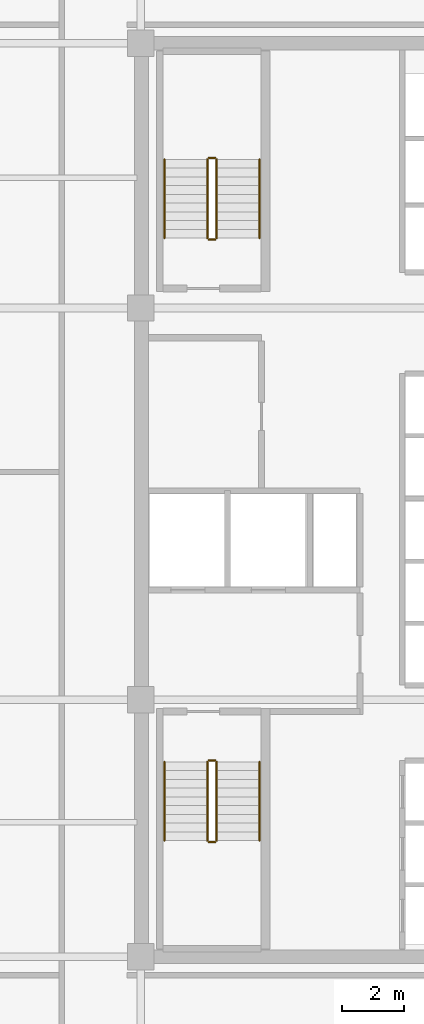
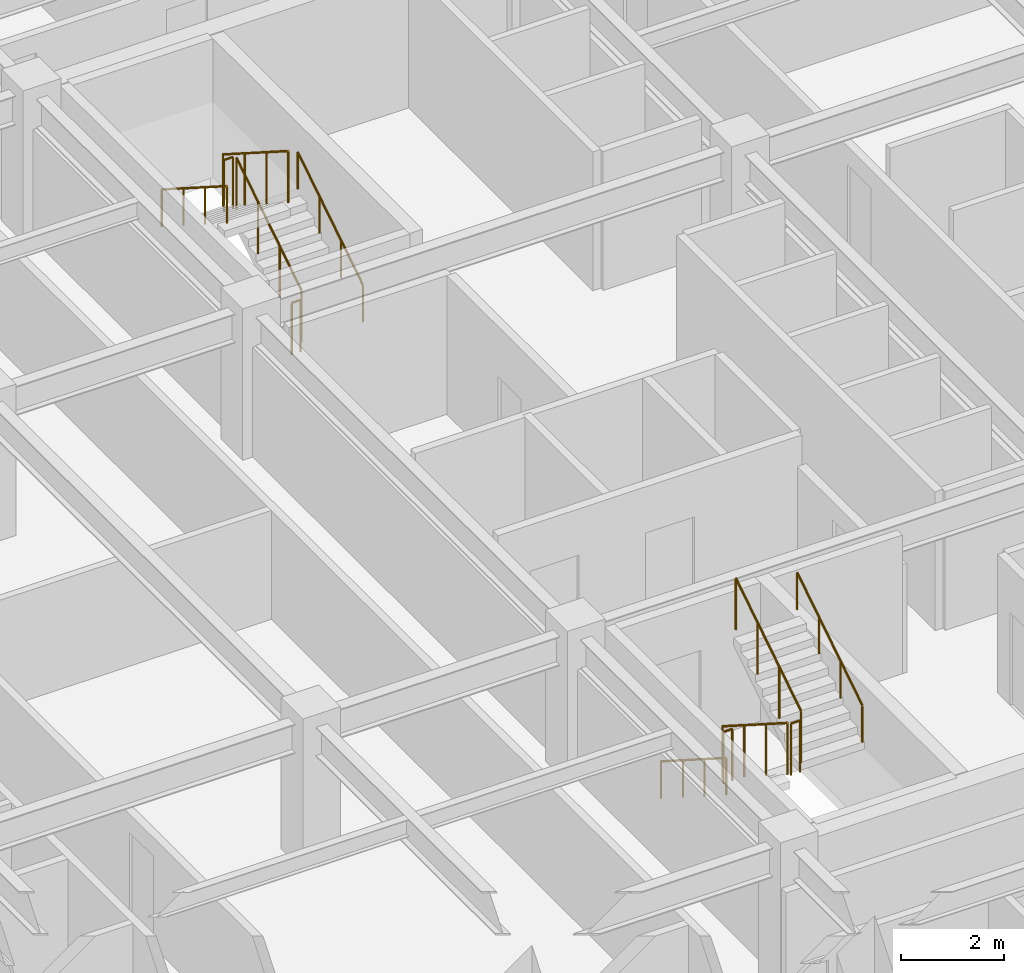
# One storey, part 11 of 11: 12 railings.
"""IFC4 building model written with IfcOpenShell, lengths in metres."""

from ifc_helpers import new_model, si_unit, direction, frame, origin, origin_2d, place, context, subcontext, project, spatial, circle, extrude, material, type_object, element, save


model = new_model("IFC4")

# Units and contexts
model_context = context("Model", 3, precision=1e-05, world=origin(), true_north=direction((0.0, 1.0)))
body_context = subcontext(model_context, "Body", "Model", "MODEL_VIEW")
ifc_project = project(units=[si_unit("LENGTHUNIT", "METRE"), si_unit("AREAUNIT", "SQUARE_METRE"), si_unit("VOLUMEUNIT", "CUBIC_METRE"), si_unit("PLANEANGLEUNIT", "RADIAN"), si_unit("MASSUNIT", "GRAM", prefix="KILO")], contexts=[model_context])

# Site, building, storey
site_placement = place(None, origin())
site = spatial("IfcSite", under=ifc_project, at=site_placement, CompositionType="ELEMENT")
building_placement = place(site_placement, origin())
building = spatial("IfcBuilding", under=site, at=building_placement, Name="Ochreholt Gables", CompositionType="ELEMENT")
storey_placement = place(building_placement, frame((0.0, 0.0, 67.800048828125)))
storey = spatial("IfcBuildingStorey", under=building, at=storey_placement, Name="L17", CompositionType="ELEMENT", Elevation=67.800048828125)

# Railings
ifc_material_1 = material(Name="Painted Steel Stair Guardrail", Category="steel")
railing_type_1 = type_object("IfcRailingType", Name="RL-ST-GUARD", PredefinedType="GUARDRAIL", material=ifc_material_1)
railing_1_placement = place(storey_placement, frame((26.35009765625, 15.5400390625, 0.179931640625)))
element("IfcRailing", 1, at=railing_1_placement, inside=storey, type_object=railing_type_1, Name="L17 ST-1 stair guard 1", PredefinedType="GUARDRAIL", context=body_context, shape_type="SweptSolid", body=[
    extrude(circle(Radius=0.02392578125, at=origin_2d()), frame((0.0, 0.0, 1.22607421875), z_axis=(0.0, -0.842912820907, 0.538050161556), x_axis=(1.0, 0.0, 0.0)), (0.0, 0.0, 1.0), 3.010986328125),
    extrude(circle(Radius=0.02099609375, at=origin_2d()), origin(), (0.0, 0.0, 1.0), 1.201904296875),
    extrude(circle(Radius=0.02099609375, at=origin_2d()), frame((0.0, -0.845947265625, 0.5400390625)), (0.0, 0.0, 1.0), 1.201904296875),
    extrude(circle(Radius=0.02099609375, at=origin_2d()), frame((0.0, -1.692138671875, 1.080078125)), (0.0, 0.0, 1.0), 1.201904296875),
    extrude(circle(Radius=0.02099609375, at=origin_2d()), frame((0.0, -2.5380859375, 1.6201171875)), (0.0, 0.0, 1.0), 1.201904296875),
])
railing_2_placement = place(storey_placement, frame((26.39990234375, 12.951904296875, 1.800048828125)))
element("IfcRailing", 2, at=railing_2_placement, inside=storey, type_object=railing_type_1, Name="L17 ST-1 stair guard 2", PredefinedType="GUARDRAIL", context=body_context, shape_type="SweptSolid", body=[
    extrude(circle(Radius=0.02392578125, at=origin_2d()), frame((0.0, 0.0, 1.22607421875), z_axis=(1.0, 0.0, 0.0), x_axis=(0.0, 1.0, 0.0)), (0.0, 0.0, 1.0), 0.2001953125),
    extrude(circle(Radius=0.02099609375, at=origin_2d()), origin(), (0.0, 0.0, 1.0), 1.201904296875),
    extrude(circle(Radius=0.02099609375, at=origin_2d()), frame((0.2001953125, 0.0, 0.0)), (0.0, 0.0, 1.0), 1.201904296875),
])
railing_3_placement = place(storey_placement, frame((26.64990234375, 13.001953125, 1.97998046875)))
element("IfcRailing", 3, at=railing_3_placement, inside=storey, type_object=railing_type_1, Name="L17 ST-1 stair guard 3", PredefinedType="GUARDRAIL", context=body_context, shape_type="SweptSolid", body=[
    extrude(circle(Radius=0.02392578125, at=origin_2d()), frame((0.0, 0.0, 1.22607421875), z_axis=(0.0, 0.842949592929, 0.537992549931), x_axis=(-1.0, 0.0, 0.0)), (0.0, 0.0, 1.0), 3.010986328125),
    extrude(circle(Radius=0.02099609375, at=origin_2d()), origin(), (0.0, 0.0, 1.0), 1.201904296875),
    extrude(circle(Radius=0.02099609375, at=origin_2d()), frame((0.0, 0.845947265625, 0.5400390625)), (0.0, 0.0, 1.0), 1.201904296875),
    extrude(circle(Radius=0.02099609375, at=origin_2d()), frame((0.0, 1.692138671875, 1.079833984375)), (0.0, 0.0, 1.0), 1.201904296875),
    extrude(circle(Radius=0.02099609375, at=origin_2d()), frame((0.0, 2.5380859375, 1.619873046875)), (0.0, 0.0, 1.0), 1.201904296875),
])
railing_4_placement = place(storey_placement, frame((26.39990234375, 15.590087890625, 0.0)))
element("IfcRailing", 4, at=railing_4_placement, inside=storey, type_object=railing_type_1, Name="L17 ST-1 stair guard 4", PredefinedType="GUARDRAIL", context=body_context, shape_type="SweptSolid", body=[
    extrude(circle(Radius=0.02392578125, at=origin_2d()), frame((0.0, 0.0, 1.22607421875), z_axis=(1.0, 0.0, 0.0), x_axis=(0.0, 1.0, 0.0)), (0.0, 0.0, 1.0), 0.2001953125),
    extrude(circle(Radius=0.02099609375, at=origin_2d()), origin(), (0.0, 0.0, 1.0), 1.201904296875),
    extrude(circle(Radius=0.02099609375, at=origin_2d()), frame((0.2001953125, 0.0, 0.0)), (0.0, 0.0, 1.0), 1.201904296875),
])
railing_5_placement = place(storey_placement, frame((26.64990234375, 32.4599609375, 0.179931640625)))
element("IfcRailing", 5, at=railing_5_placement, inside=storey, type_object=railing_type_1, Name="L17 ST-2 stair guard 1", PredefinedType="GUARDRAIL", context=body_context, shape_type="SweptSolid", body=[
    extrude(circle(Radius=0.02392578125, at=origin_2d()), frame((0.0, 0.0, 1.22607421875), z_axis=(0.0, 0.842912820907, 0.538050161556), x_axis=(-1.0, 0.0, 0.0)), (0.0, 0.0, 1.0), 3.010986328125),
    extrude(circle(Radius=0.02099609375, at=origin_2d()), origin(), (0.0, 0.0, 1.0), 1.201904296875),
    extrude(circle(Radius=0.02099609375, at=origin_2d()), frame((0.0, 0.845947265625, 0.5400390625)), (0.0, 0.0, 1.0), 1.201904296875),
    extrude(circle(Radius=0.02099609375, at=origin_2d()), frame((0.0, 1.692138671875, 1.080078125)), (0.0, 0.0, 1.0), 1.201904296875),
    extrude(circle(Radius=0.02099609375, at=origin_2d()), frame((0.0, 2.5380859375, 1.6201171875)), (0.0, 0.0, 1.0), 1.201904296875),
])
railing_6_placement = place(storey_placement, frame((26.60009765625, 35.048095703125, 1.800048828125)))
element("IfcRailing", 6, at=railing_6_placement, inside=storey, type_object=railing_type_1, Name="L17 ST-2 stair guard 2", PredefinedType="GUARDRAIL", context=body_context, shape_type="SweptSolid", body=[
    extrude(circle(Radius=0.02392578125, at=origin_2d()), frame((0.0, 0.0, 1.22607421875), z_axis=(-1.0, 0.0, 0.0), x_axis=(0.0, -1.0, 0.0)), (0.0, 0.0, 1.0), 0.2001953125),
    extrude(circle(Radius=0.02099609375, at=origin_2d()), origin(), (0.0, 0.0, 1.0), 1.201904296875),
    extrude(circle(Radius=0.02099609375, at=origin_2d()), frame((-0.2001953125, 0.0, 0.0)), (0.0, 0.0, 1.0), 1.201904296875),
])
railing_7_placement = place(storey_placement, frame((26.35009765625, 34.998046875, 1.97998046875)))
element("IfcRailing", 7, at=railing_7_placement, inside=storey, type_object=railing_type_1, Name="L17 ST-2 stair guard 3", PredefinedType="GUARDRAIL", context=body_context, shape_type="SweptSolid", body=[
    extrude(circle(Radius=0.02392578125, at=origin_2d()), frame((0.0, 0.0, 1.22607421875), z_axis=(0.0, -0.842949592929, 0.537992549931), x_axis=(1.0, 0.0, 0.0)), (0.0, 0.0, 1.0), 3.010986328125),
    extrude(circle(Radius=0.02099609375, at=origin_2d()), origin(), (0.0, 0.0, 1.0), 1.201904296875),
    extrude(circle(Radius=0.02099609375, at=origin_2d()), frame((0.0, -0.845947265625, 0.5400390625)), (0.0, 0.0, 1.0), 1.201904296875),
    extrude(circle(Radius=0.02099609375, at=origin_2d()), frame((0.0, -1.692138671875, 1.079833984375)), (0.0, 0.0, 1.0), 1.201904296875),
    extrude(circle(Radius=0.02099609375, at=origin_2d()), frame((0.0, -2.5380859375, 1.619873046875)), (0.0, 0.0, 1.0), 1.201904296875),
])
railing_8_placement = place(storey_placement, frame((26.60009765625, 32.409912109375, 0.0)))
element("IfcRailing", 8, at=railing_8_placement, inside=storey, type_object=railing_type_1, Name="L17 ST-2 stair guard 4", PredefinedType="GUARDRAIL", context=body_context, shape_type="SweptSolid", body=[
    extrude(circle(Radius=0.02392578125, at=origin_2d()), frame((0.0, 0.0, 1.22607421875), z_axis=(-1.0, 0.0, 0.0), x_axis=(0.0, -1.0, 0.0)), (0.0, 0.0, 1.0), 0.2001953125),
    extrude(circle(Radius=0.02099609375, at=origin_2d()), origin(), (0.0, 0.0, 1.0), 1.201904296875),
    extrude(circle(Radius=0.02099609375, at=origin_2d()), frame((-0.2001953125, 0.0, 0.0)), (0.0, 0.0, 1.0), 1.201904296875),
])
ifc_material_2 = material(Name="Brushed Stainless Steel Wall Handrail", Category="steel")
railing_type_2 = type_object("IfcRailingType", Name="RL-ST-HAND", PredefinedType="HANDRAIL", material=ifc_material_2)
railing_9_placement = place(storey_placement, frame((24.969970703125, 15.5400390625, 0.179931640625)))
element("IfcRailing", 9, at=railing_9_placement, inside=storey, type_object=railing_type_2, Name="L17 ST-1 stair handrail 1", PredefinedType="HANDRAIL", context=body_context, shape_type="SweptSolid", body=[
    extrude(circle(Radius=0.02392578125, at=origin_2d()), frame((0.0, 0.0, 0.8759765625), z_axis=(0.0, -0.842912820907, 0.538050161556), x_axis=(1.0, 0.0, 0.0)), (0.0, 0.0, 1.0), 3.010986328125),
    extrude(circle(Radius=0.02099609375, at=origin_2d()), origin(), (0.0, 0.0, 1.0), 0.851806640625),
    extrude(circle(Radius=0.02099609375, at=origin_2d()), frame((0.0, -0.845947265625, 0.5400390625)), (0.0, 0.0, 1.0), 0.851806640625),
    extrude(circle(Radius=0.02099609375, at=origin_2d()), frame((0.0, -1.692138671875, 1.080078125)), (0.0, 0.0, 1.0), 0.851806640625),
    extrude(circle(Radius=0.02099609375, at=origin_2d()), frame((0.0, -2.5380859375, 1.6201171875)), (0.0, 0.0, 1.0), 0.851806640625),
])
railing_10_placement = place(storey_placement, frame((28.030029296875, 13.001953125, 1.97998046875)))
element("IfcRailing", 10, at=railing_10_placement, inside=storey, type_object=railing_type_2, Name="L17 ST-1 stair handrail 2", PredefinedType="HANDRAIL", context=body_context, shape_type="SweptSolid", body=[
    extrude(circle(Radius=0.02392578125, at=origin_2d()), frame((0.0, 0.0, 0.8759765625), z_axis=(0.0, 0.842949592929, 0.537992549931), x_axis=(-1.0, 0.0, 0.0)), (0.0, 0.0, 1.0), 3.010986328125),
    extrude(circle(Radius=0.02099609375, at=origin_2d()), origin(), (0.0, 0.0, 1.0), 0.851806640625),
    extrude(circle(Radius=0.02099609375, at=origin_2d()), frame((0.0, 0.845947265625, 0.5400390625)), (0.0, 0.0, 1.0), 0.851806640625),
    extrude(circle(Radius=0.02099609375, at=origin_2d()), frame((0.0, 1.692138671875, 1.079833984375)), (0.0, 0.0, 1.0), 0.851806640625),
    extrude(circle(Radius=0.02099609375, at=origin_2d()), frame((0.0, 2.5380859375, 1.619873046875)), (0.0, 0.0, 1.0), 0.851806640625),
])
railing_11_placement = place(storey_placement, frame((28.030029296875, 32.4599609375, 0.179931640625)))
element("IfcRailing", 11, at=railing_11_placement, inside=storey, type_object=railing_type_2, Name="L17 ST-2 stair handrail 1", PredefinedType="HANDRAIL", context=body_context, shape_type="SweptSolid", body=[
    extrude(circle(Radius=0.02392578125, at=origin_2d()), frame((0.0, 0.0, 0.8759765625), z_axis=(0.0, 0.842912820907, 0.538050161556), x_axis=(-1.0, 0.0, 0.0)), (0.0, 0.0, 1.0), 3.010986328125),
    extrude(circle(Radius=0.02099609375, at=origin_2d()), origin(), (0.0, 0.0, 1.0), 0.851806640625),
    extrude(circle(Radius=0.02099609375, at=origin_2d()), frame((0.0, 0.845947265625, 0.5400390625)), (0.0, 0.0, 1.0), 0.851806640625),
    extrude(circle(Radius=0.02099609375, at=origin_2d()), frame((0.0, 1.692138671875, 1.080078125)), (0.0, 0.0, 1.0), 0.851806640625),
    extrude(circle(Radius=0.02099609375, at=origin_2d()), frame((0.0, 2.5380859375, 1.6201171875)), (0.0, 0.0, 1.0), 0.851806640625),
])
railing_12_placement = place(storey_placement, frame((24.969970703125, 34.998046875, 1.97998046875)))
element("IfcRailing", 12, at=railing_12_placement, inside=storey, type_object=railing_type_2, Name="L17 ST-2 stair handrail 2", PredefinedType="HANDRAIL", context=body_context, shape_type="SweptSolid", body=[
    extrude(circle(Radius=0.02392578125, at=origin_2d()), frame((0.0, 0.0, 0.8759765625), z_axis=(0.0, -0.842949592929, 0.537992549931), x_axis=(1.0, 0.0, 0.0)), (0.0, 0.0, 1.0), 3.010986328125),
    extrude(circle(Radius=0.02099609375, at=origin_2d()), origin(), (0.0, 0.0, 1.0), 0.851806640625),
    extrude(circle(Radius=0.02099609375, at=origin_2d()), frame((0.0, -0.845947265625, 0.5400390625)), (0.0, 0.0, 1.0), 0.851806640625),
    extrude(circle(Radius=0.02099609375, at=origin_2d()), frame((0.0, -1.692138671875, 1.079833984375)), (0.0, 0.0, 1.0), 0.851806640625),
    extrude(circle(Radius=0.02099609375, at=origin_2d()), frame((0.0, -2.5380859375, 1.619873046875)), (0.0, 0.0, 1.0), 0.851806640625),
])

save(model, "model.ifc")
